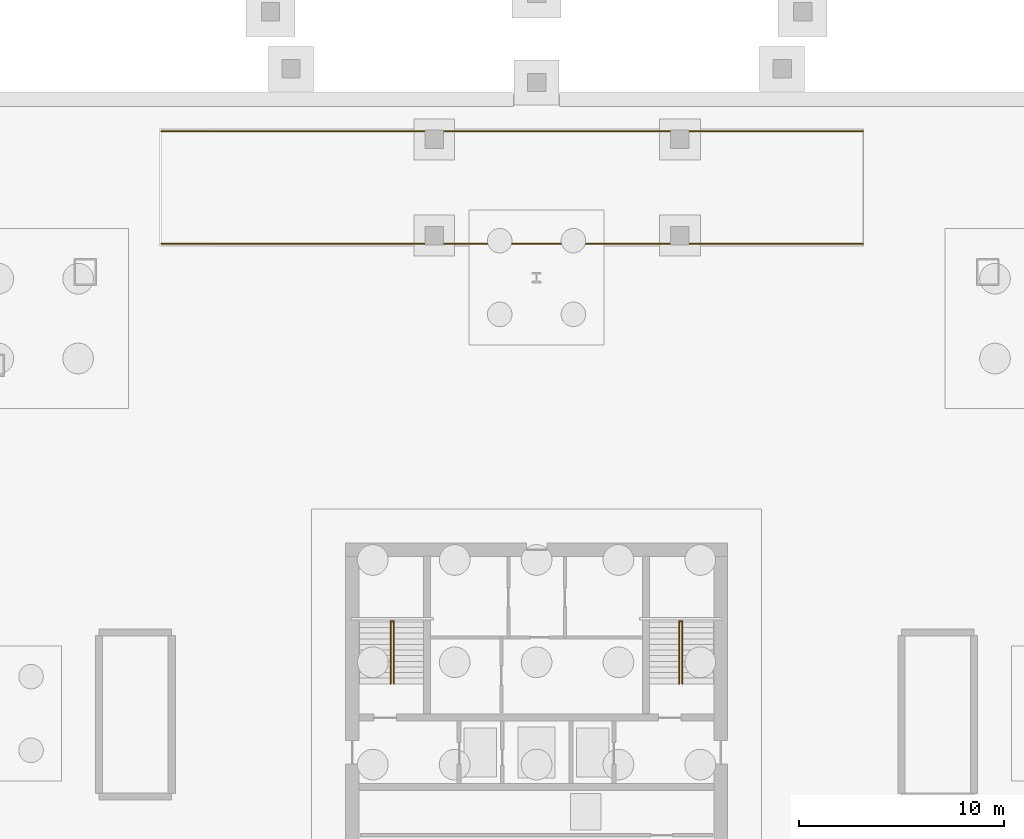
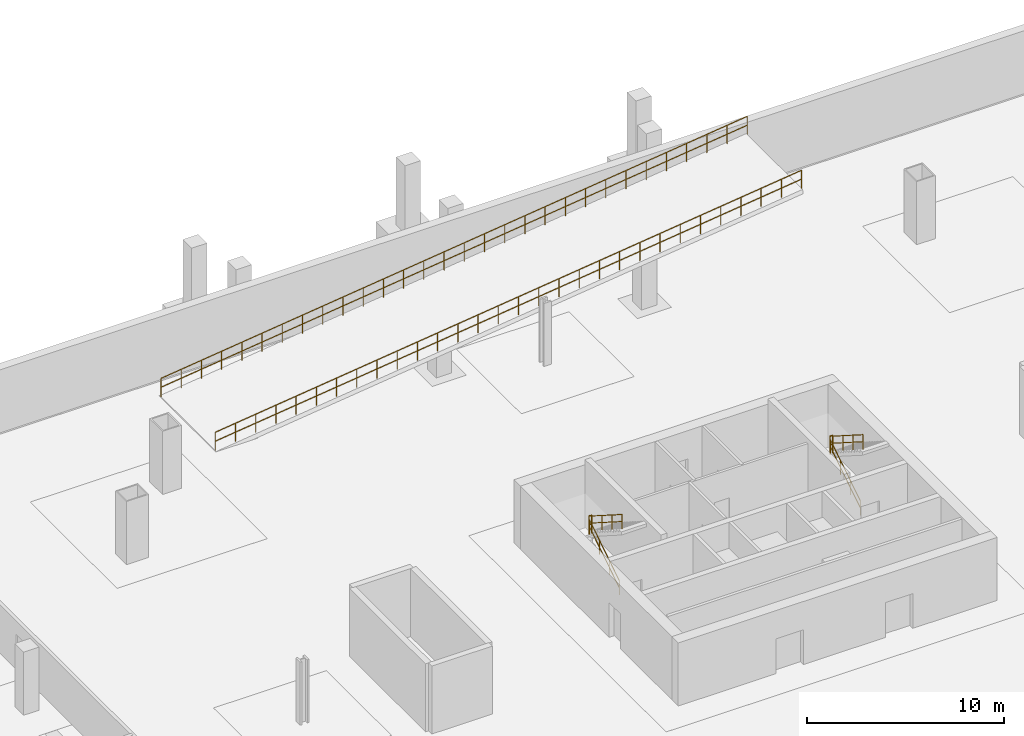
# One storey, part 6 of 7: 8 railings.
"""IFC4 building model written with IfcOpenShell, lengths in metres."""

from ifc_helpers import new_model, si_unit, direction, frame, origin, origin_2d, place, context, subcontext, project, spatial, circle, extrude, material, type_object, element, save


model = new_model("IFC4")

# Units and contexts
model_context = context("Model", 3, precision=1e-05, world=origin(), true_north=direction((0.0, 1.0)))
body_context = subcontext(model_context, "Body", "Model", "MODEL_VIEW")
ifc_project = project(units=[si_unit("LENGTHUNIT", "METRE"), si_unit("AREAUNIT", "SQUARE_METRE"), si_unit("VOLUMEUNIT", "CUBIC_METRE"), si_unit("PLANEANGLEUNIT", "RADIAN"), si_unit("MASSUNIT", "GRAM", prefix="KILO")], contexts=[model_context])

# Site, building, storey
site_placement = place(None, origin())
site = spatial("IfcSite", under=ifc_project, at=site_placement, CompositionType="ELEMENT")
building_placement = place(site_placement, origin())
building = spatial("IfcBuilding", under=site, at=building_placement, Name="Caelvoria Tower", CompositionType="ELEMENT")
storey_placement = place(building_placement, frame((0.0, 0.0, -8.39990234375)))
storey = spatial("IfcBuildingStorey", under=building, at=storey_placement, Name="B2", CompositionType="ELEMENT", Elevation=-8.39990234375)

# Railings
ifc_material_1 = material(Name="Brushed Stainless Steel Tube", Category="steel")
railing_type_1 = type_object("IfcRailingType", Name="Stair Tubular Stainless Handrail 920", PredefinedType="HANDRAIL", material=ifc_material_1)
railing_1_placement = place(storey_placement, frame((38.8701171875, 33.449951171875, 0.1748046875)))
element("IfcRailing", 1, at=railing_1_placement, inside=storey, type_object=railing_type_1, Name="ST-01 Flight 1 Handrail B2", PredefinedType="HANDRAIL", context=body_context, shape_type="SweptSolid", body=[
    extrude(circle(Radius=0.02392578125, at=origin_2d()), frame((0.0, 0.0, 0.89599609375), z_axis=(0.0, 0.843667094858, 0.536866680894), x_axis=(-1.0, 0.0, 0.0)), (0.0, 0.0, 1.0), 3.585693359375),
    extrude(circle(Radius=0.02392578125, at=origin_2d()), frame((0.0, 0.0, 0.4599609375), z_axis=(0.0, 0.843667094858, 0.536866680894), x_axis=(-1.0, 0.0, 0.0)), (0.0, 0.0, 1.0), 3.585693359375),
    extrude(circle(Radius=0.02099609375, at=origin_2d()), origin(), (0.0, 0.0, 1.0), 0.871826171875),
    extrude(circle(Radius=0.02099609375, at=origin_2d()), frame((0.0, 1.00830078125, 0.6416015625)), (0.0, 0.0, 1.0), 0.871826171875),
    extrude(circle(Radius=0.02099609375, at=origin_2d()), frame((0.0, 2.016845703125, 1.283447265625)), (0.0, 0.0, 1.0), 0.871826171875),
    extrude(circle(Radius=0.02099609375, at=origin_2d()), frame((0.0, 3.025146484375, 1.925048828125)), (0.0, 0.0, 1.0), 0.871826171875),
])
railing_2_placement = place(storey_placement, frame((39.030029296875, 36.47509765625, 2.27490234375)))
element("IfcRailing", 2, at=railing_2_placement, inside=storey, type_object=railing_type_1, Name="ST-01 Flight 2 Handrail B2", PredefinedType="HANDRAIL", context=body_context, shape_type="SweptSolid", body=[
    extrude(circle(Radius=0.02392578125, at=origin_2d()), frame((0.0, 0.0, 0.89599609375), z_axis=(0.0, -0.843667094858, 0.536866680894), x_axis=(1.0, 0.0, 0.0)), (0.0, 0.0, 1.0), 3.585693359375),
    extrude(circle(Radius=0.02392578125, at=origin_2d()), frame((0.0, 0.0, 0.4599609375), z_axis=(0.0, -0.843667094858, 0.536866680894), x_axis=(1.0, 0.0, 0.0)), (0.0, 0.0, 1.0), 3.585693359375),
    extrude(circle(Radius=0.02099609375, at=origin_2d()), origin(), (0.0, 0.0, 1.0), 0.871826171875),
    extrude(circle(Radius=0.02099609375, at=origin_2d()), frame((0.0, -1.00830078125, 0.6416015625)), (0.0, 0.0, 1.0), 0.871826171875),
    extrude(circle(Radius=0.02099609375, at=origin_2d()), frame((0.0, -2.016845703125, 1.283447265625)), (0.0, 0.0, 1.0), 0.871826171875),
    extrude(circle(Radius=0.02099609375, at=origin_2d()), frame((0.0, -3.025146484375, 1.925048828125)), (0.0, 0.0, 1.0), 0.871826171875),
])
railing_3_placement = place(storey_placement, frame((52.969970703125, 33.449951171875, 0.1748046875)))
element("IfcRailing", 3, at=railing_3_placement, inside=storey, type_object=railing_type_1, Name="ST-02 Flight 1 Handrail B2", PredefinedType="HANDRAIL", context=body_context, shape_type="SweptSolid", body=[
    extrude(circle(Radius=0.02392578125, at=origin_2d()), frame((0.0, 0.0, 0.89599609375), z_axis=(0.0, 0.843667094858, 0.536866680894), x_axis=(-1.0, 0.0, 0.0)), (0.0, 0.0, 1.0), 3.585693359375),
    extrude(circle(Radius=0.02392578125, at=origin_2d()), frame((0.0, 0.0, 0.4599609375), z_axis=(0.0, 0.843667094858, 0.536866680894), x_axis=(-1.0, 0.0, 0.0)), (0.0, 0.0, 1.0), 3.585693359375),
    extrude(circle(Radius=0.02099609375, at=origin_2d()), origin(), (0.0, 0.0, 1.0), 0.871826171875),
    extrude(circle(Radius=0.02099609375, at=origin_2d()), frame((0.0, 1.00830078125, 0.6416015625)), (0.0, 0.0, 1.0), 0.871826171875),
    extrude(circle(Radius=0.02099609375, at=origin_2d()), frame((0.0, 2.016845703125, 1.283447265625)), (0.0, 0.0, 1.0), 0.871826171875),
    extrude(circle(Radius=0.02099609375, at=origin_2d()), frame((0.0, 3.025146484375, 1.925048828125)), (0.0, 0.0, 1.0), 0.871826171875),
])
railing_4_placement = place(storey_placement, frame((53.1298828125, 36.47509765625, 2.27490234375)))
element("IfcRailing", 4, at=railing_4_placement, inside=storey, type_object=railing_type_1, Name="ST-02 Flight 2 Handrail B2", PredefinedType="HANDRAIL", context=body_context, shape_type="SweptSolid", body=[
    extrude(circle(Radius=0.02392578125, at=origin_2d()), frame((0.0, 0.0, 0.89599609375), z_axis=(0.0, -0.843667094858, 0.536866680894), x_axis=(1.0, 0.0, 0.0)), (0.0, 0.0, 1.0), 3.585693359375),
    extrude(circle(Radius=0.02392578125, at=origin_2d()), frame((0.0, 0.0, 0.4599609375), z_axis=(0.0, -0.843667094858, 0.536866680894), x_axis=(1.0, 0.0, 0.0)), (0.0, 0.0, 1.0), 3.585693359375),
    extrude(circle(Radius=0.02099609375, at=origin_2d()), origin(), (0.0, 0.0, 1.0), 0.871826171875),
    extrude(circle(Radius=0.02099609375, at=origin_2d()), frame((0.0, -1.00830078125, 0.6416015625)), (0.0, 0.0, 1.0), 0.871826171875),
    extrude(circle(Radius=0.02099609375, at=origin_2d()), frame((0.0, -2.016845703125, 1.283447265625)), (0.0, 0.0, 1.0), 0.871826171875),
    extrude(circle(Radius=0.02099609375, at=origin_2d()), frame((0.0, -3.025146484375, 1.925048828125)), (0.0, 0.0, 1.0), 0.871826171875),
])
ifc_material_2 = material(Name="Brushed Stainless Steel Guardrail", Category="steel")
railing_type_2 = type_object("IfcRailingType", Name="Stair Well and Ramp Guardrail 1120", PredefinedType="GUARDRAIL", material=ifc_material_2)
for number, where, name in (
    (5, (38.8701171875, 36.514892578125, 2.099853515625), "ST-01 Half-Landing Well Guard B2"),
    (6, (52.969970703125, 36.514892578125, 2.099853515625), "ST-02 Half-Landing Well Guard B2"),
):
    element("IfcRailing", number, at=place(storey_placement, frame(where)), inside=storey, type_object=railing_type_2, Name=name, PredefinedType="GUARDRAIL", context=body_context, shape_type="SweptSolid", body=[
        extrude(circle(Radius=0.02392578125, at=origin_2d()), frame((0.0, 0.0, 1.09619140625), z_axis=(1.0, 0.0, 0.0), x_axis=(0.0, 1.0, 0.0)), (0.0, 0.0, 1.0), 0.159912109375),
        extrude(circle(Radius=0.02392578125, at=origin_2d()), frame((0.0, 0.0, 0.56005859375), z_axis=(1.0, 0.0, 0.0), x_axis=(0.0, 1.0, 0.0)), (0.0, 0.0, 1.0), 0.159912109375),
        extrude(circle(Radius=0.02099609375, at=origin_2d()), origin(), (0.0, 0.0, 1.0), 1.072021484375),
        extrude(circle(Radius=0.02099609375, at=origin_2d()), frame((0.159912109375, 0.0, 0.0)), (0.0, 0.0, 1.0), 1.072021484375),
    ])
railing_5_placement = place(storey_placement, frame((27.64990234375, 54.949951171875, 0.0)))
element("IfcRailing", 7, at=railing_5_placement, inside=storey, type_object=railing_type_2, Name="Vehicular Ramp Sloped Side Guard South B2", PredefinedType="GUARDRAIL", context=body_context, shape_type="SweptSolid", body=[
    extrude(circle(Radius=0.02392578125, at=origin_2d()), frame((0.0, 0.0, 1.1259765625), z_axis=(0.992586580033, 0.0, 0.121539627855), x_axis=(0.0, 1.0, 0.0)), (0.0, 0.0, 1.0), 34.55615234375),
    extrude(circle(Radius=0.02392578125, at=origin_2d()), frame((0.0, 0.0, 0.574951171875), z_axis=(0.992586580033, 0.0, 0.121539627855), x_axis=(0.0, 1.0, 0.0)), (0.0, 0.0, 1.0), 34.55615234375),
    extrude(circle(Radius=0.02099609375, at=origin_2d()), origin(), (0.0, 0.0, 1.0), 1.101806640625),
    extrude(circle(Radius=0.02099609375, at=origin_2d()), frame((1.182861328125, 0.0, 0.144775390625)), (0.0, 0.0, 1.0), 1.101806640625),
    extrude(circle(Radius=0.02099609375, at=origin_2d()), frame((2.365478515625, 0.0, 0.28955078125)), (0.0, 0.0, 1.0), 1.101806640625),
    extrude(circle(Radius=0.02099609375, at=origin_2d()), frame((3.54833984375, 0.0, 0.4345703125)), (0.0, 0.0, 1.0), 1.101806640625),
    extrude(circle(Radius=0.02099609375, at=origin_2d()), frame((4.73095703125, 0.0, 0.579345703125)), (0.0, 0.0, 1.0), 1.101806640625),
    extrude(circle(Radius=0.02099609375, at=origin_2d()), frame((5.913818359375, 0.0, 0.72412109375)), (0.0, 0.0, 1.0), 1.101806640625),
    extrude(circle(Radius=0.02099609375, at=origin_2d()), frame((7.0966796875, 0.0, 0.868896484375)), (0.0, 0.0, 1.0), 1.101806640625),
    extrude(circle(Radius=0.02099609375, at=origin_2d()), frame((8.279296875, 0.0, 1.013671875)), (0.0, 0.0, 1.0), 1.101806640625),
    extrude(circle(Radius=0.02099609375, at=origin_2d()), frame((9.462158203125, 0.0, 1.15869140625)), (0.0, 0.0, 1.0), 1.101806640625),
    extrude(circle(Radius=0.02099609375, at=origin_2d()), frame((10.644775390625, 0.0, 1.303466796875)), (0.0, 0.0, 1.0), 1.101806640625),
    extrude(circle(Radius=0.02099609375, at=origin_2d()), frame((11.82763671875, 0.0, 1.4482421875)), (0.0, 0.0, 1.0), 1.101806640625),
    extrude(circle(Radius=0.02099609375, at=origin_2d()), frame((13.01025390625, 0.0, 1.593017578125)), (0.0, 0.0, 1.0), 1.101806640625),
    extrude(circle(Radius=0.02099609375, at=origin_2d()), frame((14.193115234375, 0.0, 1.73779296875)), (0.0, 0.0, 1.0), 1.101806640625),
    extrude(circle(Radius=0.02099609375, at=origin_2d()), frame((15.3759765625, 0.0, 1.8828125)), (0.0, 0.0, 1.0), 1.101806640625),
    extrude(circle(Radius=0.02099609375, at=origin_2d()), frame((16.55859375, 0.0, 2.027587890625)), (0.0, 0.0, 1.0), 1.101806640625),
    extrude(circle(Radius=0.02099609375, at=origin_2d()), frame((17.741455078125, 0.0, 2.17236328125)), (0.0, 0.0, 1.0), 1.101806640625),
    extrude(circle(Radius=0.02099609375, at=origin_2d()), frame((18.924072265625, 0.0, 2.317138671875)), (0.0, 0.0, 1.0), 1.101806640625),
    extrude(circle(Radius=0.02099609375, at=origin_2d()), frame((20.10693359375, 0.0, 2.462158203125)), (0.0, 0.0, 1.0), 1.101806640625),
    extrude(circle(Radius=0.02099609375, at=origin_2d()), frame((21.289794921875, 0.0, 2.60693359375)), (0.0, 0.0, 1.0), 1.101806640625),
    extrude(circle(Radius=0.02099609375, at=origin_2d()), frame((22.472412109375, 0.0, 2.751708984375)), (0.0, 0.0, 1.0), 1.101806640625),
    extrude(circle(Radius=0.02099609375, at=origin_2d()), frame((23.6552734375, 0.0, 2.896484375)), (0.0, 0.0, 1.0), 1.101806640625),
    extrude(circle(Radius=0.02099609375, at=origin_2d()), frame((24.837890625, 0.0, 3.041259765625)), (0.0, 0.0, 1.0), 1.101806640625),
    extrude(circle(Radius=0.02099609375, at=origin_2d()), frame((26.020751953125, 0.0, 3.186279296875)), (0.0, 0.0, 1.0), 1.101806640625),
    extrude(circle(Radius=0.02099609375, at=origin_2d()), frame((27.203369140625, 0.0, 3.3310546875)), (0.0, 0.0, 1.0), 1.101806640625),
    extrude(circle(Radius=0.02099609375, at=origin_2d()), frame((28.38623046875, 0.0, 3.475830078125)), (0.0, 0.0, 1.0), 1.101806640625),
    extrude(circle(Radius=0.02099609375, at=origin_2d()), frame((29.569091796875, 0.0, 3.62060546875)), (0.0, 0.0, 1.0), 1.101806640625),
    extrude(circle(Radius=0.02099609375, at=origin_2d()), frame((30.751708984375, 0.0, 3.765380859375)), (0.0, 0.0, 1.0), 1.101806640625),
    extrude(circle(Radius=0.02099609375, at=origin_2d()), frame((31.9345703125, 0.0, 3.910400390625)), (0.0, 0.0, 1.0), 1.101806640625),
    extrude(circle(Radius=0.02099609375, at=origin_2d()), frame((33.1171875, 0.0, 4.05517578125)), (0.0, 0.0, 1.0), 1.101806640625),
    extrude(circle(Radius=0.02099609375, at=origin_2d()), frame((34.300048828125, 0.0, 4.199951171875)), (0.0, 0.0, 1.0), 1.101806640625),
])
railing_6_placement = place(storey_placement, frame((27.64990234375, 60.449951171875, 0.0)))
element("IfcRailing", 8, at=railing_6_placement, inside=storey, type_object=railing_type_2, Name="Vehicular Ramp Sloped Side Guard North B2", PredefinedType="GUARDRAIL", context=body_context, shape_type="SweptSolid", body=[
    extrude(circle(Radius=0.02392578125, at=origin_2d()), frame((0.0, 0.0, 1.1259765625), z_axis=(0.992586580033, 0.0, 0.121539627855), x_axis=(0.0, 1.0, 0.0)), (0.0, 0.0, 1.0), 34.55615234375),
    extrude(circle(Radius=0.02392578125, at=origin_2d()), frame((0.0, 0.0, 0.574951171875), z_axis=(0.992586580033, 0.0, 0.121539627855), x_axis=(0.0, 1.0, 0.0)), (0.0, 0.0, 1.0), 34.55615234375),
    extrude(circle(Radius=0.02099609375, at=origin_2d()), origin(), (0.0, 0.0, 1.0), 1.101806640625),
    extrude(circle(Radius=0.02099609375, at=origin_2d()), frame((1.182861328125, 0.0, 0.144775390625)), (0.0, 0.0, 1.0), 1.101806640625),
    extrude(circle(Radius=0.02099609375, at=origin_2d()), frame((2.365478515625, 0.0, 0.28955078125)), (0.0, 0.0, 1.0), 1.101806640625),
    extrude(circle(Radius=0.02099609375, at=origin_2d()), frame((3.54833984375, 0.0, 0.4345703125)), (0.0, 0.0, 1.0), 1.101806640625),
    extrude(circle(Radius=0.02099609375, at=origin_2d()), frame((4.73095703125, 0.0, 0.579345703125)), (0.0, 0.0, 1.0), 1.101806640625),
    extrude(circle(Radius=0.02099609375, at=origin_2d()), frame((5.913818359375, 0.0, 0.72412109375)), (0.0, 0.0, 1.0), 1.101806640625),
    extrude(circle(Radius=0.02099609375, at=origin_2d()), frame((7.0966796875, 0.0, 0.868896484375)), (0.0, 0.0, 1.0), 1.101806640625),
    extrude(circle(Radius=0.02099609375, at=origin_2d()), frame((8.279296875, 0.0, 1.013671875)), (0.0, 0.0, 1.0), 1.101806640625),
    extrude(circle(Radius=0.02099609375, at=origin_2d()), frame((9.462158203125, 0.0, 1.15869140625)), (0.0, 0.0, 1.0), 1.101806640625),
    extrude(circle(Radius=0.02099609375, at=origin_2d()), frame((10.644775390625, 0.0, 1.303466796875)), (0.0, 0.0, 1.0), 1.101806640625),
    extrude(circle(Radius=0.02099609375, at=origin_2d()), frame((11.82763671875, 0.0, 1.4482421875)), (0.0, 0.0, 1.0), 1.101806640625),
    extrude(circle(Radius=0.02099609375, at=origin_2d()), frame((13.01025390625, 0.0, 1.593017578125)), (0.0, 0.0, 1.0), 1.101806640625),
    extrude(circle(Radius=0.02099609375, at=origin_2d()), frame((14.193115234375, 0.0, 1.73779296875)), (0.0, 0.0, 1.0), 1.101806640625),
    extrude(circle(Radius=0.02099609375, at=origin_2d()), frame((15.3759765625, 0.0, 1.8828125)), (0.0, 0.0, 1.0), 1.101806640625),
    extrude(circle(Radius=0.02099609375, at=origin_2d()), frame((16.55859375, 0.0, 2.027587890625)), (0.0, 0.0, 1.0), 1.101806640625),
    extrude(circle(Radius=0.02099609375, at=origin_2d()), frame((17.741455078125, 0.0, 2.17236328125)), (0.0, 0.0, 1.0), 1.101806640625),
    extrude(circle(Radius=0.02099609375, at=origin_2d()), frame((18.924072265625, 0.0, 2.317138671875)), (0.0, 0.0, 1.0), 1.101806640625),
    extrude(circle(Radius=0.02099609375, at=origin_2d()), frame((20.10693359375, 0.0, 2.462158203125)), (0.0, 0.0, 1.0), 1.101806640625),
    extrude(circle(Radius=0.02099609375, at=origin_2d()), frame((21.289794921875, 0.0, 2.60693359375)), (0.0, 0.0, 1.0), 1.101806640625),
    extrude(circle(Radius=0.02099609375, at=origin_2d()), frame((22.472412109375, 0.0, 2.751708984375)), (0.0, 0.0, 1.0), 1.101806640625),
    extrude(circle(Radius=0.02099609375, at=origin_2d()), frame((23.6552734375, 0.0, 2.896484375)), (0.0, 0.0, 1.0), 1.101806640625),
    extrude(circle(Radius=0.02099609375, at=origin_2d()), frame((24.837890625, 0.0, 3.041259765625)), (0.0, 0.0, 1.0), 1.101806640625),
    extrude(circle(Radius=0.02099609375, at=origin_2d()), frame((26.020751953125, 0.0, 3.186279296875)), (0.0, 0.0, 1.0), 1.101806640625),
    extrude(circle(Radius=0.02099609375, at=origin_2d()), frame((27.203369140625, 0.0, 3.3310546875)), (0.0, 0.0, 1.0), 1.101806640625),
    extrude(circle(Radius=0.02099609375, at=origin_2d()), frame((28.38623046875, 0.0, 3.475830078125)), (0.0, 0.0, 1.0), 1.101806640625),
    extrude(circle(Radius=0.02099609375, at=origin_2d()), frame((29.569091796875, 0.0, 3.62060546875)), (0.0, 0.0, 1.0), 1.101806640625),
    extrude(circle(Radius=0.02099609375, at=origin_2d()), frame((30.751708984375, 0.0, 3.765380859375)), (0.0, 0.0, 1.0), 1.101806640625),
    extrude(circle(Radius=0.02099609375, at=origin_2d()), frame((31.9345703125, 0.0, 3.910400390625)), (0.0, 0.0, 1.0), 1.101806640625),
    extrude(circle(Radius=0.02099609375, at=origin_2d()), frame((33.1171875, 0.0, 4.05517578125)), (0.0, 0.0, 1.0), 1.101806640625),
    extrude(circle(Radius=0.02099609375, at=origin_2d()), frame((34.300048828125, 0.0, 4.199951171875)), (0.0, 0.0, 1.0), 1.101806640625),
])

save(model, "model.ifc")
